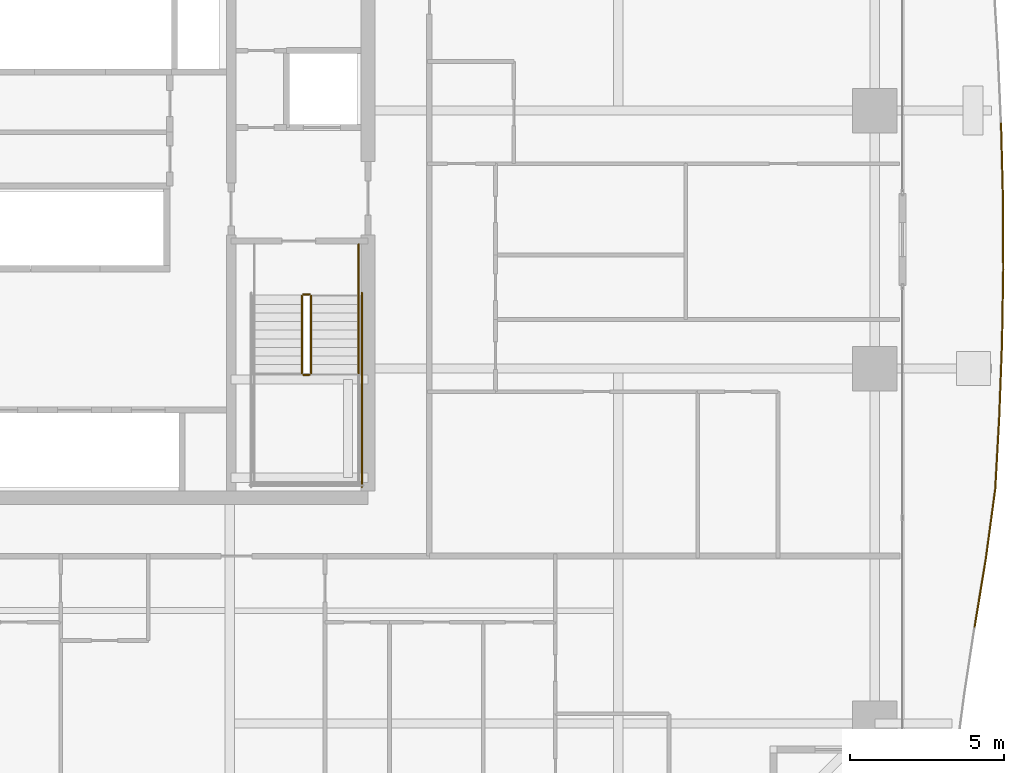
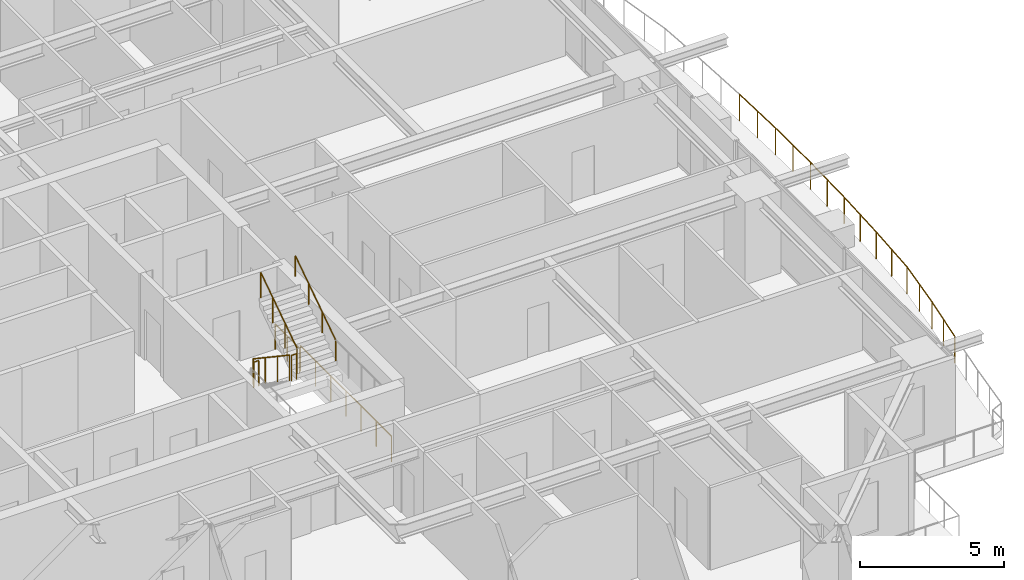
# One storey, part 37 of 39: 8 railings.
"""IFC4 building model written with IfcOpenShell, lengths in metres."""

from ifc_helpers import new_model, si_unit, direction, frame, origin, origin_2d, place, context, subcontext, project, spatial, circle, extrude, material, type_object, element, save


model = new_model("IFC4")

# Units and contexts
model_context = context("Model", 3, precision=1e-05, world=origin(), true_north=direction((0.0, 1.0)))
body_context = subcontext(model_context, "Body", "Model", "MODEL_VIEW")
ifc_project = project(units=[si_unit("LENGTHUNIT", "METRE"), si_unit("AREAUNIT", "SQUARE_METRE"), si_unit("VOLUMEUNIT", "CUBIC_METRE"), si_unit("PLANEANGLEUNIT", "RADIAN"), si_unit("MASSUNIT", "GRAM", prefix="KILO")], contexts=[model_context])

# Site, building, storey
site_placement = place(None, origin())
site = spatial("IfcSite", under=ifc_project, at=site_placement, CompositionType="ELEMENT")
building_placement = place(site_placement, origin())
building = spatial("IfcBuilding", under=site, at=building_placement, Name="Serunith Strait Residences", CompositionType="ELEMENT")
storey_placement = place(building_placement, frame((0.0, 0.0, 94.199951171875)))
storey = spatial("IfcBuildingStorey", under=building, at=storey_placement, Name="L23", CompositionType="ELEMENT", Elevation=94.199951171875)

# Railings
ifc_material_1 = material(Name="Stainless Steel & Laminated Glass Balustrade", Category="steel")
railing_type_1 = type_object("IfcRailingType", Name="RLG-BALC-1150", PredefinedType="BALUSTRADE", material=ifc_material_1)
railing_1_placement = place(storey_placement, frame((62.00634765625, 29.031494140625, -0.050048828125)))
element("IfcRailing", 1, at=railing_1_placement, inside=storey, type_object=railing_type_1, Name="L23 Swirling Balcony Perimeter Balustrade 4", PredefinedType="BALUSTRADE", context=body_context, shape_type="SweptSolid", body=[
    extrude(circle(Radius=0.02392578125, at=origin_2d()), frame((0.0, -0.001953125, 1.1259765625), z_axis=(0.025742102813, -0.999668617164, 0.0), x_axis=(0.999668617164, 0.025742102813, 0.0)), (0.0, 0.0, 1.0), 2.3955078125),
    extrude(circle(Radius=0.02392578125, at=origin_2d()), frame((0.061767578125, -2.400634765625, 1.1259765625), z_axis=(0.004766680127, -0.999988639316, 0.0), x_axis=(0.999988639316, 0.004766680127, 0.0)), (0.0, 0.0, 1.0), 2.4033203125),
    extrude(circle(Radius=0.02392578125, at=origin_2d()), frame((0.0732421875, -4.807861328125, 1.1259765625), z_axis=(-0.01676082719, -0.99985952747, 0.0), x_axis=(0.99985952747, -0.01676082719, 0.0)), (0.0, 0.0, 1.0), 2.3994140625),
    extrude(circle(Radius=0.02392578125, at=origin_2d()), frame((0.032958984375, -7.2109375, 1.1259765625), z_axis=(-0.037510659253, -0.999296227573, 0.0), x_axis=(0.999296227573, -0.037510659253, 0.0)), (0.0, 0.0, 1.0), 2.384765625),
    extrude(circle(Radius=0.02392578125, at=origin_2d()), frame((-0.056640625, -9.597900390625, 1.1259765625), z_axis=(-0.055550080183, -0.998455902177, 0.0), x_axis=(0.998455902177, -0.055550080183, 0.0)), (0.0, 0.0, 1.0), 2.360595703125),
    extrude(circle(Radius=0.02392578125, at=origin_2d()), frame((-0.188232421875, -11.958740234375, 1.1259765625), z_axis=(-0.134453889502, -0.990919851248, 0.0), x_axis=(0.990919851248, -0.134453889502, 0.0)), (0.0, 0.0, 1.0), 2.29296875),
    extrude(circle(Radius=0.02392578125, at=origin_2d()), frame((-0.4970703125, -14.23486328125, 1.1259765625), z_axis=(-0.161844857938, -0.986816214885, 0.0), x_axis=(0.986816214885, -0.161844857938, 0.0)), (0.0, 0.0, 1.0), 2.228515625),
    extrude(circle(Radius=0.02099609375, at=origin_2d()), origin(), (0.0, 0.0, 1.0), 1.099853515625),
    extrude(circle(Radius=0.02099609375, at=origin_2d()), frame((0.03076171875, -1.19921875, 0.0)), (0.0, 0.0, 1.0), 1.099853515625),
    extrude(circle(Radius=0.02099609375, at=origin_2d()), frame((0.061767578125, -2.398681640625, 0.0)), (0.0, 0.0, 1.0), 1.099853515625),
    extrude(circle(Radius=0.02099609375, at=origin_2d()), frame((0.0673828125, -3.602294921875, 0.0)), (0.0, 0.0, 1.0), 1.099853515625),
    extrude(circle(Radius=0.02099609375, at=origin_2d()), frame((0.0732421875, -4.805908203125, 0.0)), (0.0, 0.0, 1.0), 1.099853515625),
    extrude(circle(Radius=0.02099609375, at=origin_2d()), frame((0.05322265625, -6.00732421875, 0.0)), (0.0, 0.0, 1.0), 1.099853515625),
    extrude(circle(Radius=0.02099609375, at=origin_2d()), frame((0.032958984375, -7.208984375, 0.0)), (0.0, 0.0, 1.0), 1.099853515625),
    extrude(circle(Radius=0.02099609375, at=origin_2d()), frame((-0.01171875, -8.40234375, 0.0)), (0.0, 0.0, 1.0), 1.099853515625),
    extrude(circle(Radius=0.02099609375, at=origin_2d()), frame((-0.056640625, -9.595947265625, 0.0)), (0.0, 0.0, 1.0), 1.099853515625),
    extrude(circle(Radius=0.02099609375, at=origin_2d()), frame((-0.122314453125, -10.7763671875, 0.0)), (0.0, 0.0, 1.0), 1.099853515625),
    extrude(circle(Radius=0.02099609375, at=origin_2d()), frame((-0.18798828125, -11.956787109375, 0.0)), (0.0, 0.0, 1.0), 1.099853515625),
    extrude(circle(Radius=0.02099609375, at=origin_2d()), frame((-0.34228515625, -13.0947265625, 0.0)), (0.0, 0.0, 1.0), 1.099853515625),
    extrude(circle(Radius=0.02099609375, at=origin_2d()), frame((-0.496826171875, -14.23291015625, 0.0)), (0.0, 0.0, 1.0), 1.099853515625),
    extrude(circle(Radius=0.02099609375, at=origin_2d()), frame((-0.677490234375, -15.33447265625, 0.0)), (0.0, 0.0, 1.0), 1.099853515625),
    extrude(circle(Radius=0.02099609375, at=origin_2d()), frame((-0.858154296875, -16.43603515625, 0.0)), (0.0, 0.0, 1.0), 1.099853515625),
])
ifc_material_2 = material(Name="Brushed stainless steel 316L", Category="steel")
railing_type_2 = type_object("IfcRailingType", Name="RLG-STAIR-GUARD", PredefinedType="BALUSTRADE", material=ifc_material_2)
railing_2_placement = place(storey_placement, frame((39.25, 23.3701171875, 0.1875)))
element("IfcRailing", 2, at=railing_2_placement, inside=storey, type_object=railing_type_2, Name="L23 ST-2 stair guard 1", PredefinedType="BALUSTRADE", context=body_context, shape_type="SweptSolid", body=[
    extrude(circle(Radius=0.02392578125, at=origin_2d()), frame((0.0, -0.001708984375, 1.0771484375), z_axis=(0.0, -0.830909170722, 0.55640807867), x_axis=(1.0, 0.0, 0.0)), (0.0, 0.0, 1.0), 3.02880859375),
    extrude(circle(Radius=0.02099609375, at=origin_2d()), origin(), (0.0, 0.0, 1.0), 1.050048828125),
    extrude(circle(Radius=0.02099609375, at=origin_2d()), frame((0.0, -0.840087890625, 0.5625)), (0.0, 0.0, 1.0), 1.050048828125),
    extrude(circle(Radius=0.02099609375, at=origin_2d()), frame((0.0, -1.679931640625, 1.125)), (0.0, 0.0, 1.0), 1.050048828125),
    extrude(circle(Radius=0.02099609375, at=origin_2d()), frame((0.0, -2.52001953125, 1.6875)), (0.0, 0.0, 1.0), 1.050048828125),
])
railing_3_placement = place(storey_placement, frame((39.300048828125, 20.800048828125, 1.875)))
element("IfcRailing", 3, at=railing_3_placement, inside=storey, type_object=railing_type_2, Name="L23 ST-2 stair guard 2", PredefinedType="BALUSTRADE", context=body_context, shape_type="SweptSolid", body=[
    extrude(circle(Radius=0.02392578125, at=origin_2d()), frame((0.001953125, 0.0, 1.076171875), z_axis=(1.0, 0.0, 0.0), x_axis=(0.0, 1.0, 0.0)), (0.0, 0.0, 1.0), 0.196044921875),
    extrude(circle(Radius=0.02099609375, at=origin_2d()), origin(), (0.0, 0.0, 1.0), 1.050048828125),
    extrude(circle(Radius=0.02099609375, at=origin_2d()), frame((0.199951171875, 0.0, 0.0)), (0.0, 0.0, 1.0), 1.050048828125),
])
railing_4_placement = place(storey_placement, frame((39.550048828125, 20.85009765625, 2.0625)))
element("IfcRailing", 4, at=railing_4_placement, inside=storey, type_object=railing_type_2, Name="L23 ST-2 stair guard 6", PredefinedType="BALUSTRADE", context=body_context, shape_type="SweptSolid", body=[
    extrude(circle(Radius=0.02392578125, at=origin_2d()), frame((0.0, 0.001708984375, 1.0771484375), z_axis=(0.0, 0.830909170722, 0.55640807867), x_axis=(-1.0, 0.0, 0.0)), (0.0, 0.0, 1.0), 3.02880859375),
    extrude(circle(Radius=0.02099609375, at=origin_2d()), origin(), (0.0, 0.0, 1.0), 1.050048828125),
    extrude(circle(Radius=0.02099609375, at=origin_2d()), frame((0.0, 0.840087890625, 0.5625)), (0.0, 0.0, 1.0), 1.050048828125),
    extrude(circle(Radius=0.02099609375, at=origin_2d()), frame((0.0, 1.679931640625, 1.125)), (0.0, 0.0, 1.0), 1.050048828125),
    extrude(circle(Radius=0.02099609375, at=origin_2d()), frame((0.0, 2.52001953125, 1.6875)), (0.0, 0.0, 1.0), 1.050048828125),
])
railing_5_placement = place(storey_placement, frame((39.300048828125, 23.419921875, 0.0)))
element("IfcRailing", 5, at=railing_5_placement, inside=storey, type_object=railing_type_2, Name="L23 ST-2 stair guard 7", PredefinedType="BALUSTRADE", context=body_context, shape_type="SweptSolid", body=[
    extrude(circle(Radius=0.02392578125, at=origin_2d()), frame((0.001953125, 0.0, 1.076171875), z_axis=(1.0, 0.0, 0.0), x_axis=(0.0, 1.0, 0.0)), (0.0, 0.0, 1.0), 0.196044921875),
    extrude(circle(Radius=0.02099609375, at=origin_2d()), origin(), (0.0, 0.0, 1.0), 1.050048828125),
    extrude(circle(Radius=0.02099609375, at=origin_2d()), frame((0.199951171875, 0.0, 0.0)), (0.0, 0.0, 1.0), 1.050048828125),
])
railing_6_placement = place(storey_placement, frame((41.10009765625, 25.050048828125, 0.0)))
element("IfcRailing", 6, at=railing_6_placement, inside=storey, type_object=railing_type_2, Name="L23 ST-2 stair guard 9", PredefinedType="BALUSTRADE", context=body_context, shape_type="SweptSolid", body=[
    extrude(circle(Radius=0.02392578125, at=origin_2d()), frame((0.0, -0.001953125, 1.076171875), z_axis=(0.0, -1.0, 0.0), x_axis=(1.0, 0.0, 0.0)), (0.0, 0.0, 1.0), 1.676025390625),
    extrude(circle(Radius=0.02099609375, at=origin_2d()), origin(), (0.0, 0.0, 1.0), 1.050048828125),
    extrude(circle(Radius=0.02099609375, at=origin_2d()), frame((0.0, -0.83984375, 0.0)), (0.0, 0.0, 1.0), 1.050048828125),
    extrude(circle(Radius=0.02099609375, at=origin_2d()), frame((0.0, -1.679931640625, 0.0)), (0.0, 0.0, 1.0), 1.050048828125),
])
railing_7_placement = place(storey_placement, frame((41.199951171875, 23.469970703125, 0.0)))
element("IfcRailing", 7, at=railing_7_placement, inside=storey, type_object=railing_type_2, Name="L23 ST-2 stair guard 11", PredefinedType="BALUSTRADE", context=body_context, shape_type="SweptSolid", body=[
    extrude(circle(Radius=0.02392578125, at=origin_2d()), frame((0.0, -0.001953125, 1.076171875), z_axis=(0.0, -1.0, 0.0), x_axis=(1.0, 0.0, 0.0)), (0.0, 0.0, 1.0), 6.316162109375),
    extrude(circle(Radius=0.02099609375, at=origin_2d()), origin(), (0.0, 0.0, 1.0), 1.050048828125),
    extrude(circle(Radius=0.02099609375, at=origin_2d()), frame((0.0, -1.05322265625, 0.0)), (0.0, 0.0, 1.0), 1.050048828125),
    extrude(circle(Radius=0.02099609375, at=origin_2d()), frame((0.0, -2.106689453125, 0.0)), (0.0, 0.0, 1.0), 1.050048828125),
    extrude(circle(Radius=0.02099609375, at=origin_2d()), frame((0.0, -3.16015625, 0.0)), (0.0, 0.0, 1.0), 1.050048828125),
    extrude(circle(Radius=0.02099609375, at=origin_2d()), frame((0.0, -4.21337890625, 0.0)), (0.0, 0.0, 1.0), 1.050048828125),
    extrude(circle(Radius=0.02099609375, at=origin_2d()), frame((0.0, -5.2666015625, 0.0)), (0.0, 0.0, 1.0), 1.050048828125),
    extrude(circle(Radius=0.02099609375, at=origin_2d()), frame((0.0, -6.320068359375, 0.0)), (0.0, 0.0, 1.0), 1.050048828125),
])
railing_type_3 = type_object("IfcRailingType", Name="RLG-STAIR-HR", PredefinedType="HANDRAIL", material=ifc_material_2)
railing_8_placement = place(storey_placement, frame((41.10009765625, 20.85009765625, 2.0625)))
element("IfcRailing", 8, at=railing_8_placement, inside=storey, type_object=railing_type_3, Name="L23 ST-2 stair handrail 2", PredefinedType="HANDRAIL", context=body_context, shape_type="SweptSolid", body=[
    extrude(circle(Radius=0.02392578125, at=origin_2d()), frame((0.0, 0.001708984375, 0.876953125), z_axis=(0.0, 0.830185712471, 0.557486935101), x_axis=(-1.0, 0.0, 0.0)), (0.0, 0.0, 1.0), 3.368408203125),
    extrude(circle(Radius=0.02099609375, at=origin_2d()), origin(), (0.0, 0.0, 1.0), 0.849853515625),
    extrude(circle(Radius=0.02099609375, at=origin_2d()), frame((0.0, 0.933349609375, 0.626708984375)), (0.0, 0.0, 1.0), 0.849853515625),
    extrude(circle(Radius=0.02099609375, at=origin_2d()), frame((0.0, 1.866455078125, 1.25341796875)), (0.0, 0.0, 1.0), 0.849853515625),
    extrude(circle(Radius=0.02099609375, at=origin_2d()), frame((0.0, 2.7998046875, 1.880126953125)), (0.0, 0.0, 1.0), 0.849853515625),
])

save(model, "model.ifc")
